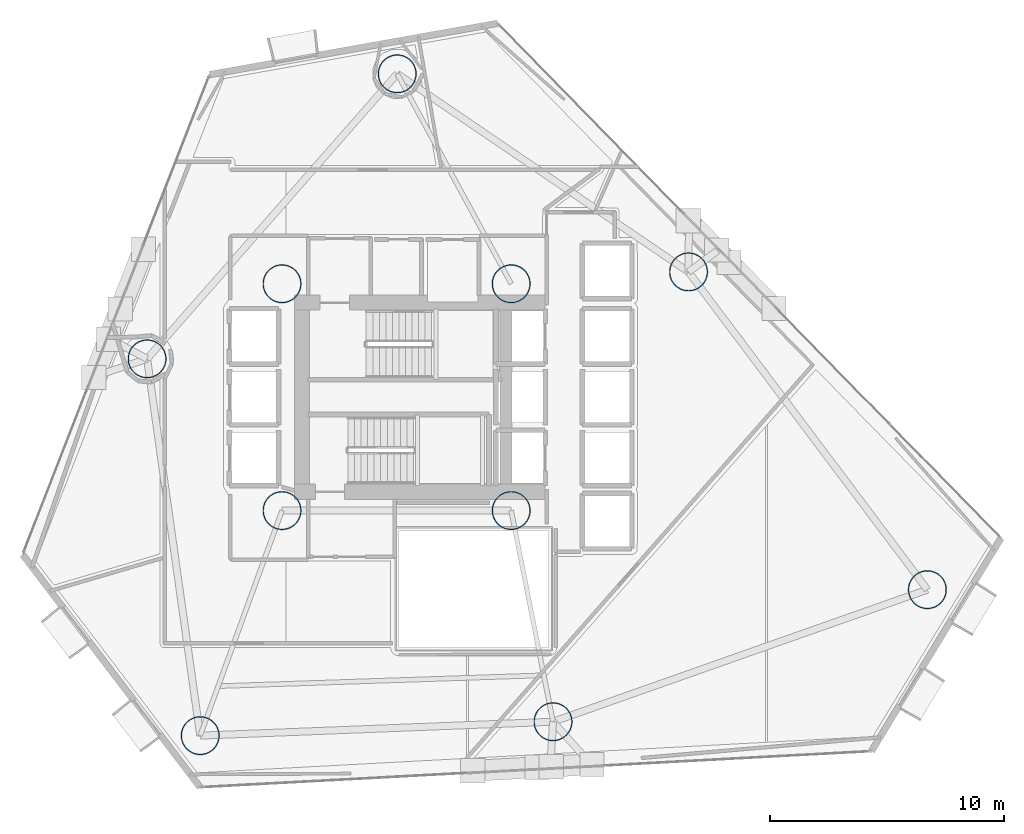
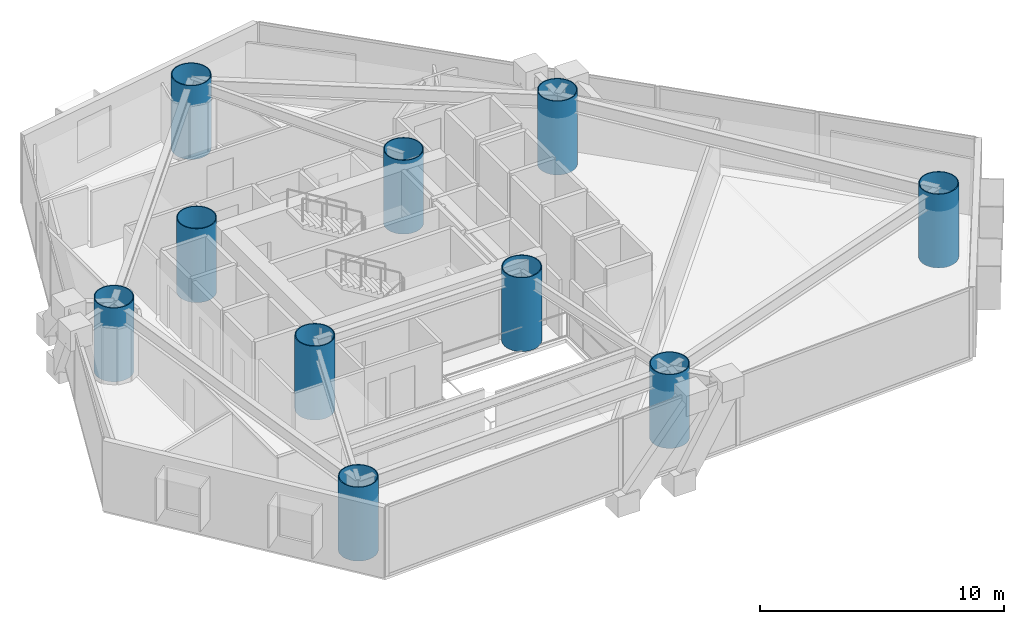
# One storey, part 1 of 23: 10 columns.
"""IFC4 building model written with IfcOpenShell, lengths in metres."""

from ifc_helpers import new_model, si_unit, direction, frame, origin, origin_2d, place, context, subcontext, project, spatial, hollow_circle, extrude, material, material_profile, profile_set, type_object, element, save


model = new_model("IFC4")

# Units and contexts
model_context = context("Model", 3, precision=1e-05, world=origin(), true_north=direction((0.0, 1.0)))
body_context = subcontext(model_context, "Body", "Model", "MODEL_VIEW")
ifc_project = project(units=[si_unit("LENGTHUNIT", "METRE"), si_unit("AREAUNIT", "SQUARE_METRE"), si_unit("VOLUMEUNIT", "CUBIC_METRE"), si_unit("PLANEANGLEUNIT", "RADIAN"), si_unit("MASSUNIT", "GRAM", prefix="KILO")], contexts=[model_context])

# Site, building, storey
site_placement = place(None, origin())
site = spatial("IfcSite", under=ifc_project, at=site_placement, CompositionType="ELEMENT")
building_placement = place(site_placement, origin())
building = spatial("IfcBuilding", under=site, at=building_placement, Name="Qianvela Tower", CompositionType="ELEMENT")
storey_placement = place(building_placement, frame((0.0, 0.0, 56.199951171875)))
storey = spatial("IfcBuildingStorey", under=building, at=storey_placement, Name="L13", CompositionType="ELEMENT", Elevation=56.199951171875)

# Columns
ifc_material = material(Name="Steel Q420GJC", Category="steel")
ifc_material_profile = material_profile(ifc_material, hollow_circle(Radius=0.824951171875, WallThickness=0.0400390625, at=origin_2d()), Name="CFT-1650x40")
ifc_profile_set = profile_set([ifc_material_profile], Name="Steel Q420GJC")
column_type = type_object("IfcColumnType", Name="COL-CFT-1650x40", PredefinedType="COLUMN", material=ifc_profile_set)
for number, where, z_axis, x_axis, name in (
    (1, (28.60009765625, 33.550048828125, 0.0), (0.0, 0.0, 1.0), (1.0, 0.0, 0.0), "L13 Core Corner Mega-Column CC-NW"),
    (2, (28.60009765625, 23.85009765625, 0.0), (0.0, 0.0, 1.0), (1.0, 0.0, 0.0), "L13 Core Corner Mega-Column CC-SW"),
    (3, (38.39990234375, 33.550048828125, 0.0), (0.0, 0.0, 1.0), (1.0, 0.0, 0.0), "L13 Core Corner Mega-Column CC-NE"),
    (4, (38.39990234375, 23.85009765625, 0.0), (0.0, 0.0, 1.0), (1.0, 0.0, 0.0), "L13 Core Corner Mega-Column CC-SE"),
    (5, (56.198974609375, 20.468017578125, 0.0), (0.0, 0.0, 1.0), (1.0, 0.0, 0.0), "L13 Zone Z2 CFT Mega-Column C1"),
    (6, (45.98388671875, 34.056884765625, 0.0), (0.0, 0.0, 1.0), (1.0, 0.0, 0.0), "L13 Zone Z2 CFT Mega-Column C2"),
    (7, (33.52587890625, 42.529052734375, 0.0), (0.0, 0.0, 1.0), (1.0, 0.0, 0.0), "L13 Zone Z2 CFT Mega-Column C3"),
    (8, (22.8291015625, 30.340087890625, 0.0), (0.0, 0.0, 1.0), (1.0, 0.0, 0.0), "L13 Zone Z2 CFT Mega-Column C4"),
    (9, (25.10009765625, 14.22509765625, 0.0), (0.0, 0.0, 1.0), (1.0, 0.0, 0.0), "L13 Zone Z2 CFT Mega-Column C5"),
    (10, (40.18896484375, 14.819091796875, 0.0), (0.0, 0.0, 1.0), (1.0, 0.0, 0.0), "L13 Zone Z2 CFT Mega-Column C6"),
):
    element("IfcColumn", number, at=place(storey_placement, frame(where, z_axis=z_axis, x_axis=x_axis)), inside=storey, type_object=column_type, Name=name, PredefinedType="COLUMN", context=body_context, shape_type="SweptSolid", body=[
        extrude(hollow_circle(Radius=0.824951171875, WallThickness=0.0400390625, at=origin_2d()), origin(), (0.0, 0.0, 1.0), 3.699951171875),
    ])

save(model, "model.ifc")
